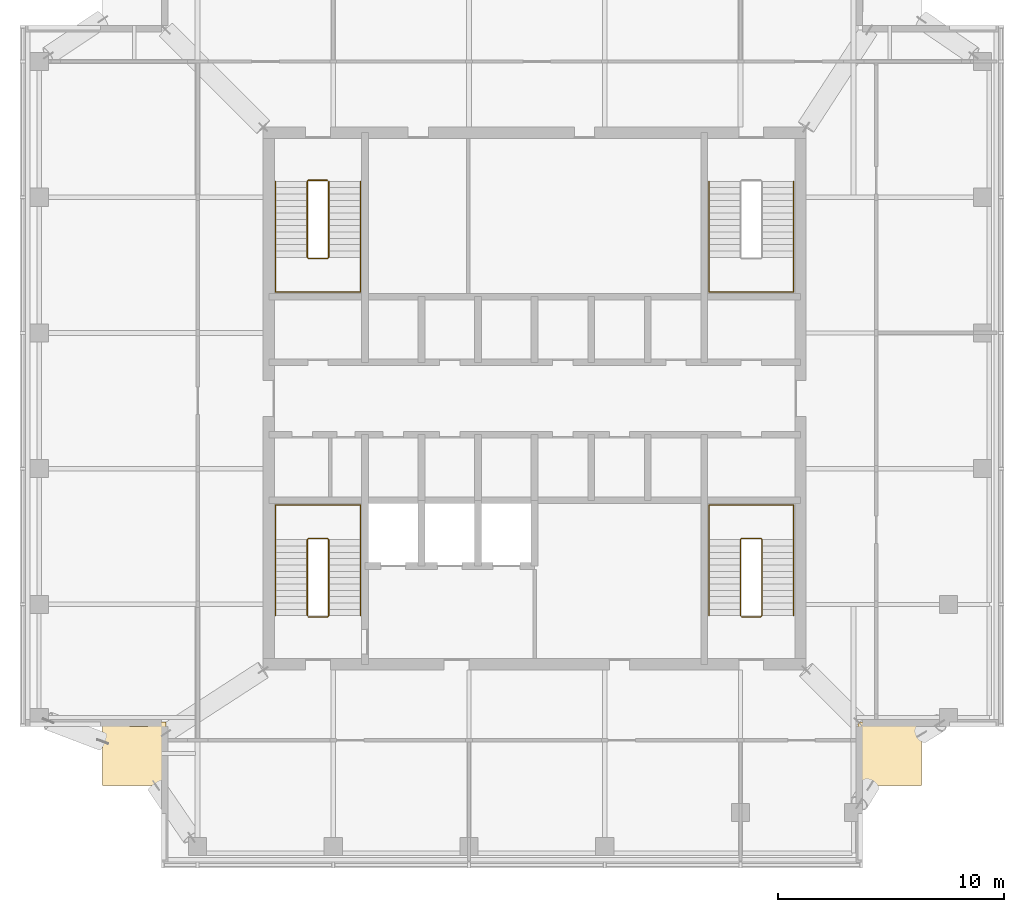
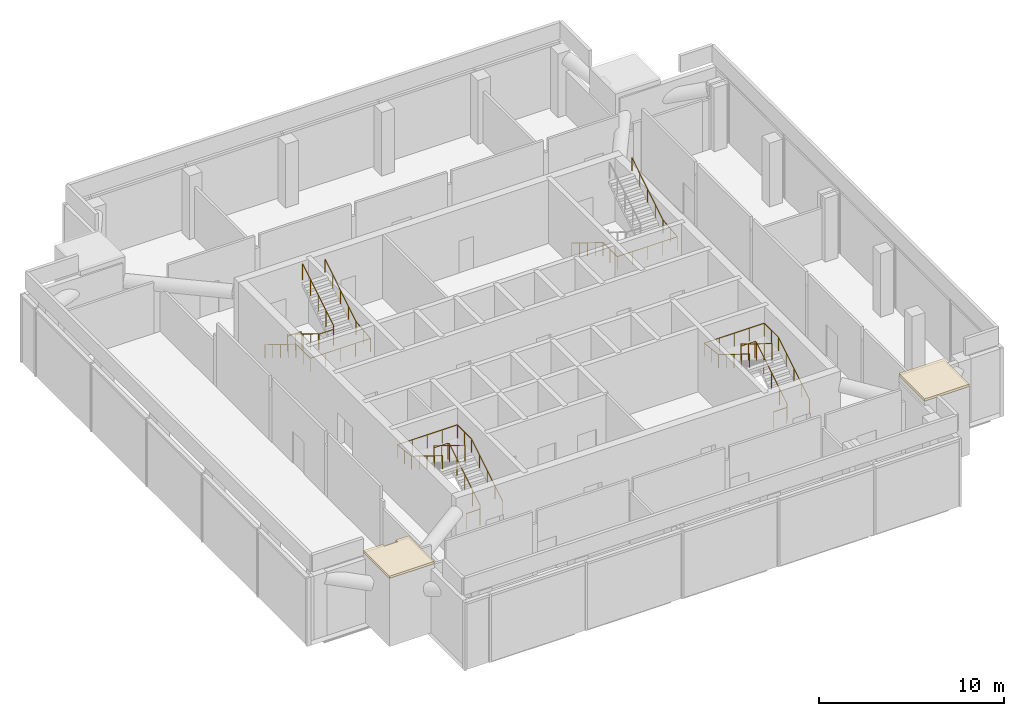
# One storey, part 10 of 11: 7 railings, 2 coverings.
"""IFC4 building model written with IfcOpenShell, lengths in metres."""

from ifc_helpers import new_model, si_unit, direction, frame, origin, origin_2d, place, context, subcontext, project, spatial, polyline, circle, outline, extrude, material, layer, layer_set, type_object, element, save


model = new_model("IFC4")

# Units and contexts
model_context = context("Model", 3, precision=1e-05, world=origin(), true_north=direction((0.0, 1.0)))
body_context = subcontext(model_context, "Body", "Model", "MODEL_VIEW")
ifc_project = project(units=[si_unit("LENGTHUNIT", "METRE"), si_unit("AREAUNIT", "SQUARE_METRE"), si_unit("VOLUMEUNIT", "CUBIC_METRE"), si_unit("PLANEANGLEUNIT", "RADIAN"), si_unit("MASSUNIT", "GRAM", prefix="KILO")], contexts=[model_context])

# Site, building, storey
site_placement = place(None, origin())
site = spatial("IfcSite", under=ifc_project, at=site_placement, CompositionType="ELEMENT")
building_placement = place(site_placement, origin())
building = spatial("IfcBuilding", under=site, at=building_placement, Name="Amberfall Residences", CompositionType="ELEMENT")
storey_placement = place(building_placement, frame((0.0, 0.0, 286.300048828125)))
storey = spatial("IfcBuildingStorey", under=building, at=storey_placement, Name="L77 Crown", CompositionType="ELEMENT", Elevation=286.300048828125)

# Coverings
ifc_material_1 = material(Name="Pale limestone cladding", Category="masonry")
ifc_layer = layer(ifc_material_1, 0.14990234375)
ifc_layer_set = layer_set([ifc_layer], Name="Limestone capping 2800 x 2800 x 150")
covering_type = type_object("IfcCoveringType", Name="Limestone capping 2800 x 2800 x 150", PredefinedType="CLADDING", material=ifc_layer_set)
covering_1_placement = place(storey_placement, frame((0.0, 0.0, 4.5)))
element("IfcCovering", 1, at=covering_1_placement, inside=storey, type_object=covering_type, Name="Limestone capping L77 Crown", PredefinedType="CLADDING", context=body_context, shape_type="SweptSolid", body=[
    extrude(outline(polyline([(58.199951171875, 31.199951171875), (57.409912109375, 31.199951171875), (57.409912109375, 31.0), (57.409912109375, 30.9990234375), (57.409912109375, 30.998046875), (57.40966796875, 30.9970703125), (57.4091796875, 30.99609375), (57.40869140625, 30.995361328125), (57.408203125, 30.994384765625), (57.40771484375, 30.99365234375), (57.406982421875, 30.992919921875), (57.40625, 30.9921875), (57.405517578125, 30.99169921875), (57.40478515625, 30.9912109375), (57.40380859375, 30.99072265625), (57.40283203125, 30.990478515625), (57.402099609375, 30.990234375), (57.40087890625, 30.989990234375), (57.39990234375, 30.989990234375), (56.60009765625, 30.989990234375), (56.59912109375, 30.989990234375), (56.597900390625, 30.990234375), (56.59716796875, 30.990478515625), (56.59619140625, 30.99072265625), (56.59521484375, 30.9912109375), (56.594482421875, 30.99169921875), (56.59375, 30.9921875), (56.593017578125, 30.992919921875), (56.59228515625, 30.99365234375), (56.591796875, 30.994384765625), (56.59130859375, 30.995361328125), (56.5908203125, 30.99609375), (56.59033203125, 30.9970703125), (56.590087890625, 30.998046875), (56.590087890625, 30.9990234375), (56.590087890625, 31.0), (56.590087890625, 31.199951171875), (55.39990234375, 31.199951171875), (55.39990234375, 28.39990234375), (58.199951171875, 28.39990234375), (58.199951171875, 31.199951171875)])), origin(), (0.0, 0.0, 1.0), 0.14990234375),
])
covering_2_placement = place(storey_placement, frame((0.0, 0.0, 4.5)))
element("IfcCovering", 2, at=covering_2_placement, inside=storey, type_object=covering_type, Name="Limestone capping L77 Crown", PredefinedType="CLADDING", context=body_context, shape_type="SweptSolid", body=[
    extrude(outline(polyline([(88.800048828125, 31.199951171875), (88.800048828125, 28.409912109375), (89.0, 28.409912109375), (89.0009765625, 28.409912109375), (89.001953125, 28.409912109375), (89.0029296875, 28.40966796875), (89.00390625, 28.4091796875), (89.004638671875, 28.40869140625), (89.005615234375, 28.408203125), (89.00634765625, 28.40771484375), (89.007080078125, 28.406982421875), (89.0078125, 28.40625), (89.00830078125, 28.405517578125), (89.0087890625, 28.40478515625), (89.00927734375, 28.40380859375), (89.009521484375, 28.40283203125), (89.009765625, 28.402099609375), (89.010009765625, 28.40087890625), (89.010009765625, 28.39990234375), (91.60009765625, 28.39990234375), (91.60009765625, 30.989990234375), (91.60009765625, 30.989990234375), (91.59912109375, 30.989990234375), (91.597900390625, 30.990234375), (91.59716796875, 30.990478515625), (91.59619140625, 30.99072265625), (91.59521484375, 30.9912109375), (91.594482421875, 30.99169921875), (91.59375, 30.9921875), (91.593017578125, 30.992919921875), (91.59228515625, 30.99365234375), (91.591796875, 30.994384765625), (91.59130859375, 30.995361328125), (91.5908203125, 30.99609375), (91.59033203125, 30.9970703125), (91.590087890625, 30.998046875), (91.590087890625, 30.9990234375), (91.590087890625, 31.0), (91.590087890625, 31.199951171875), (88.800048828125, 31.199951171875)])), origin(), (0.0, 0.0, 1.0), 0.14990234375),
])

# Railings
ifc_material_2 = material(Name="Stainless steel 316", Category="steel")
railing_type_1 = type_object("IfcRailingType", Name="Stair guard 1100", PredefinedType="GUARDRAIL", material=ifc_material_2)
railing_1_placement = place(storey_placement, frame((64.5, 35.85009765625, 0.0)))
element("IfcRailing", 3, at=railing_1_placement, inside=storey, type_object=railing_type_1, Name="L77 Crown stair 1 guard", PredefinedType="GUARDRAIL", context=body_context, shape_type="SweptSolid", body=[
    extrude(circle(Radius=0.02392578125, at=origin_2d()), frame((0.0, 0.0, 1.076171875), z_axis=(1.0, 0.0, 0.0), x_axis=(0.0, 1.0, 0.0)), (0.0, 0.0, 1.0), 0.85009765625),
    extrude(circle(Radius=0.02392578125, at=origin_2d()), frame((0.85009765625, 0.0, 1.076171875), z_axis=(0.26651005591, 0.26651005591, 0.926253086471), x_axis=(-0.707106781187, 0.707106781187, 0.0)), (0.0, 0.0, 1.0), 0.186767578125),
    extrude(circle(Radius=0.02392578125, at=origin_2d()), frame((0.89990234375, 0.0498046875, 1.2490234375), z_axis=(0.0, 0.850623216509, 0.525775754039), x_axis=(-1.0, 0.0, 0.0)), (0.0, 0.0, 1.0), 3.9501953125),
    extrude(circle(Radius=0.02392578125, at=origin_2d()), frame((0.89990234375, 3.409912109375, 3.326171875), z_axis=(-0.705375805398, 0.708833529934, 0.0), x_axis=(-0.708833529934, -0.705375805398, 0.0)), (0.0, 0.0, 1.0), 0.070556640625),
    extrude(circle(Radius=0.02392578125, at=origin_2d()), frame((0.85009765625, 3.4599609375, 3.326171875), z_axis=(-1.0, 0.0, 0.0), x_axis=(0.0, -1.0, 0.0)), (0.0, 0.0, 1.0), 0.85009765625),
    extrude(circle(Radius=0.02392578125, at=origin_2d()), frame((0.0, 3.4599609375, 3.326171875), z_axis=(-0.267629722418, -0.267629722418, 0.925607186314), x_axis=(0.707106781187, -0.707106781187, 0.0)), (0.0, 0.0, 1.0), 0.18701171875),
    extrude(circle(Radius=0.02392578125, at=origin_2d()), frame((-0.050048828125, 3.409912109375, 3.4990234375), z_axis=(0.0, -0.850623216509, 0.525775754039), x_axis=(1.0, 0.0, 0.0)), (0.0, 0.0, 1.0), 3.9501953125),
    extrude(circle(Radius=0.02099609375, at=origin_2d()), origin(), (0.0, 0.0, 1.0), 1.052001953125),
    extrude(circle(Radius=0.02099609375, at=origin_2d()), frame((0.85009765625, 0.0, 0.0)), (0.0, 0.0, 1.0), 1.052001953125),
    extrude(circle(Radius=0.02099609375, at=origin_2d()), frame((0.89990234375, 0.0498046875, 0.173095703125)), (0.0, 0.0, 1.0), 1.052001953125),
    extrude(circle(Radius=0.02099609375, at=origin_2d()), frame((0.89990234375, 0.889892578125, 0.6923828125)), (0.0, 0.0, 1.0), 1.052001953125),
    extrude(circle(Radius=0.02099609375, at=origin_2d()), frame((0.89990234375, 1.72998046875, 1.21142578125)), (0.0, 0.0, 1.0), 1.052001953125),
    extrude(circle(Radius=0.02099609375, at=origin_2d()), frame((0.89990234375, 2.56982421875, 1.730712890625)), (0.0, 0.0, 1.0), 1.052001953125),
    extrude(circle(Radius=0.02099609375, at=origin_2d()), frame((0.89990234375, 3.409912109375, 2.25)), (0.0, 0.0, 1.0), 1.052001953125),
    extrude(circle(Radius=0.02099609375, at=origin_2d()), frame((0.85009765625, 3.4599609375, 2.25)), (0.0, 0.0, 1.0), 1.052001953125),
    extrude(circle(Radius=0.02099609375, at=origin_2d()), frame((0.0, 3.4599609375, 2.25)), (0.0, 0.0, 1.0), 1.052001953125),
    extrude(circle(Radius=0.02099609375, at=origin_2d()), frame((-0.050048828125, 3.409912109375, 2.423095703125)), (0.0, 0.0, 1.0), 1.052001953125),
    extrude(circle(Radius=0.02099609375, at=origin_2d()), frame((-0.050048828125, 2.56982421875, 2.9423828125)), (0.0, 0.0, 1.0), 1.052001953125),
    extrude(circle(Radius=0.02099609375, at=origin_2d()), frame((-0.050048828125, 1.72998046875, 3.46142578125)), (0.0, 0.0, 1.0), 1.052001953125),
    extrude(circle(Radius=0.02099609375, at=origin_2d()), frame((-0.050048828125, 0.889892578125, 3.980712890625)), (0.0, 0.0, 1.0), 1.052001953125),
    extrude(circle(Radius=0.02099609375, at=origin_2d()), frame((-0.050048828125, 0.0498046875, 4.5)), (0.0, 0.0, 1.0), 1.052001953125),
])
railing_2_placement = place(storey_placement, frame((83.64990234375, 35.85009765625, 0.0)))
element("IfcRailing", 4, at=railing_2_placement, inside=storey, type_object=railing_type_1, Name="L77 Crown stair 2 guard", PredefinedType="GUARDRAIL", context=body_context, shape_type="SweptSolid", body=[
    extrude(circle(Radius=0.02392578125, at=origin_2d()), frame((0.0, 0.0, 1.076171875), z_axis=(1.0, 0.0, 0.0), x_axis=(0.0, 1.0, 0.0)), (0.0, 0.0, 1.0), 0.85009765625),
    extrude(circle(Radius=0.02392578125, at=origin_2d()), frame((0.85009765625, 0.0, 1.076171875), z_axis=(0.267723051232, 0.266417085129, 0.925929967433), x_axis=(-0.705375805398, 0.708833529934, 0.0)), (0.0, 0.0, 1.0), 0.18701171875),
    extrude(circle(Radius=0.02392578125, at=origin_2d()), frame((0.900146484375, 0.0498046875, 1.2490234375), z_axis=(0.0, 0.850623216509, 0.525775754039), x_axis=(-1.0, 0.0, 0.0)), (0.0, 0.0, 1.0), 3.9501953125),
    extrude(circle(Radius=0.02392578125, at=origin_2d()), frame((0.900146484375, 3.409912109375, 3.326171875), z_axis=(-0.707106781187, 0.707106781187, 0.0), x_axis=(-0.707106781187, -0.707106781187, 0.0)), (0.0, 0.0, 1.0), 0.07080078125),
    extrude(circle(Radius=0.02392578125, at=origin_2d()), frame((0.85009765625, 3.4599609375, 3.326171875), z_axis=(-1.0, 0.0, 0.0), x_axis=(0.0, -1.0, 0.0)), (0.0, 0.0, 1.0), 0.85009765625),
    extrude(circle(Radius=0.02392578125, at=origin_2d()), frame((0.0, 3.4599609375, 3.326171875), z_axis=(-0.266417085129, -0.267723051232, 0.925929967433), x_axis=(0.708833529934, -0.705375805398, 0.0)), (0.0, 0.0, 1.0), 0.18701171875),
    extrude(circle(Radius=0.02392578125, at=origin_2d()), frame((-0.0498046875, 3.409912109375, 3.4990234375), z_axis=(0.0, -0.850623216509, 0.525775754039), x_axis=(1.0, 0.0, 0.0)), (0.0, 0.0, 1.0), 3.9501953125),
    extrude(circle(Radius=0.02099609375, at=origin_2d()), origin(), (0.0, 0.0, 1.0), 1.052001953125),
    extrude(circle(Radius=0.02099609375, at=origin_2d()), frame((0.85009765625, 0.0, 0.0)), (0.0, 0.0, 1.0), 1.052001953125),
    extrude(circle(Radius=0.02099609375, at=origin_2d()), frame((0.900146484375, 0.0498046875, 0.173095703125)), (0.0, 0.0, 1.0), 1.052001953125),
    extrude(circle(Radius=0.02099609375, at=origin_2d()), frame((0.900146484375, 0.889892578125, 0.6923828125)), (0.0, 0.0, 1.0), 1.052001953125),
    extrude(circle(Radius=0.02099609375, at=origin_2d()), frame((0.900146484375, 1.72998046875, 1.21142578125)), (0.0, 0.0, 1.0), 1.052001953125),
    extrude(circle(Radius=0.02099609375, at=origin_2d()), frame((0.900146484375, 2.56982421875, 1.730712890625)), (0.0, 0.0, 1.0), 1.052001953125),
    extrude(circle(Radius=0.02099609375, at=origin_2d()), frame((0.900146484375, 3.409912109375, 2.25)), (0.0, 0.0, 1.0), 1.052001953125),
    extrude(circle(Radius=0.02099609375, at=origin_2d()), frame((0.85009765625, 3.4599609375, 2.25)), (0.0, 0.0, 1.0), 1.052001953125),
    extrude(circle(Radius=0.02099609375, at=origin_2d()), frame((0.0, 3.4599609375, 2.25)), (0.0, 0.0, 1.0), 1.052001953125),
    extrude(circle(Radius=0.02099609375, at=origin_2d()), frame((-0.0498046875, 3.409912109375, 2.423095703125)), (0.0, 0.0, 1.0), 1.052001953125),
    extrude(circle(Radius=0.02099609375, at=origin_2d()), frame((-0.0498046875, 2.56982421875, 2.9423828125)), (0.0, 0.0, 1.0), 1.052001953125),
    extrude(circle(Radius=0.02099609375, at=origin_2d()), frame((-0.0498046875, 1.72998046875, 3.46142578125)), (0.0, 0.0, 1.0), 1.052001953125),
    extrude(circle(Radius=0.02099609375, at=origin_2d()), frame((-0.0498046875, 0.889892578125, 3.980712890625)), (0.0, 0.0, 1.0), 1.052001953125),
    extrude(circle(Radius=0.02099609375, at=origin_2d()), frame((-0.0498046875, 0.0498046875, 4.5)), (0.0, 0.0, 1.0), 1.052001953125),
])
railing_3_placement = place(storey_placement, frame((65.35009765625, 55.14990234375, 0.0)))
element("IfcRailing", 5, at=railing_3_placement, inside=storey, type_object=railing_type_1, Name="L77 Crown stair 4 guard", PredefinedType="GUARDRAIL", context=body_context, shape_type="SweptSolid", body=[
    extrude(circle(Radius=0.02392578125, at=origin_2d()), frame((0.0, 0.0, 1.076171875), z_axis=(-1.0, 0.0, 0.0), x_axis=(0.0, -1.0, 0.0)), (0.0, 0.0, 1.0), 0.85009765625),
    extrude(circle(Radius=0.02392578125, at=origin_2d()), frame((-0.85009765625, 0.0, 1.076171875), z_axis=(-0.267723051232, -0.266417085129, 0.925929967433), x_axis=(0.705375805398, -0.708833529934, 0.0)), (0.0, 0.0, 1.0), 0.18701171875),
    extrude(circle(Radius=0.02392578125, at=origin_2d()), frame((-0.900146484375, -0.0498046875, 1.2490234375), z_axis=(0.0, -0.850623216509, 0.525775754039), x_axis=(1.0, 0.0, 0.0)), (0.0, 0.0, 1.0), 3.9501953125),
    extrude(circle(Radius=0.02392578125, at=origin_2d()), frame((-0.900146484375, -3.409912109375, 3.326171875), z_axis=(0.707106781187, -0.707106781187, 0.0), x_axis=(0.707106781187, 0.707106781187, 0.0)), (0.0, 0.0, 1.0), 0.07080078125),
    extrude(circle(Radius=0.02392578125, at=origin_2d()), frame((-0.85009765625, -3.4599609375, 3.326171875), z_axis=(1.0, 0.0, 0.0), x_axis=(0.0, 1.0, 0.0)), (0.0, 0.0, 1.0), 0.85009765625),
    extrude(circle(Radius=0.02392578125, at=origin_2d()), frame((0.0, -3.4599609375, 3.326171875), z_axis=(0.266417085129, 0.267723051232, 0.925929967433), x_axis=(-0.708833529934, 0.705375805398, 0.0)), (0.0, 0.0, 1.0), 0.18701171875),
    extrude(circle(Radius=0.02392578125, at=origin_2d()), frame((0.0498046875, -3.409912109375, 3.4990234375), z_axis=(0.0, 0.850623216509, 0.525775754039), x_axis=(-1.0, 0.0, 0.0)), (0.0, 0.0, 1.0), 3.9501953125),
    extrude(circle(Radius=0.02099609375, at=origin_2d()), origin(), (0.0, 0.0, 1.0), 1.052001953125),
    extrude(circle(Radius=0.02099609375, at=origin_2d()), frame((-0.85009765625, 0.0, 0.0)), (0.0, 0.0, 1.0), 1.052001953125),
    extrude(circle(Radius=0.02099609375, at=origin_2d()), frame((-0.900146484375, -0.0498046875, 0.173095703125)), (0.0, 0.0, 1.0), 1.052001953125),
    extrude(circle(Radius=0.02099609375, at=origin_2d()), frame((-0.900146484375, -0.889892578125, 0.6923828125)), (0.0, 0.0, 1.0), 1.052001953125),
    extrude(circle(Radius=0.02099609375, at=origin_2d()), frame((-0.900146484375, -1.72998046875, 1.21142578125)), (0.0, 0.0, 1.0), 1.052001953125),
    extrude(circle(Radius=0.02099609375, at=origin_2d()), frame((-0.900146484375, -2.56982421875, 1.730712890625)), (0.0, 0.0, 1.0), 1.052001953125),
    extrude(circle(Radius=0.02099609375, at=origin_2d()), frame((-0.900146484375, -3.409912109375, 2.25)), (0.0, 0.0, 1.0), 1.052001953125),
    extrude(circle(Radius=0.02099609375, at=origin_2d()), frame((-0.85009765625, -3.4599609375, 2.25)), (0.0, 0.0, 1.0), 1.052001953125),
    extrude(circle(Radius=0.02099609375, at=origin_2d()), frame((0.0, -3.4599609375, 2.25)), (0.0, 0.0, 1.0), 1.052001953125),
    extrude(circle(Radius=0.02099609375, at=origin_2d()), frame((0.0498046875, -3.409912109375, 2.423095703125)), (0.0, 0.0, 1.0), 1.052001953125),
    extrude(circle(Radius=0.02099609375, at=origin_2d()), frame((0.0498046875, -2.56982421875, 2.9423828125)), (0.0, 0.0, 1.0), 1.052001953125),
    extrude(circle(Radius=0.02099609375, at=origin_2d()), frame((0.0498046875, -1.72998046875, 3.46142578125)), (0.0, 0.0, 1.0), 1.052001953125),
    extrude(circle(Radius=0.02099609375, at=origin_2d()), frame((0.0498046875, -0.889892578125, 3.980712890625)), (0.0, 0.0, 1.0), 1.052001953125),
    extrude(circle(Radius=0.02099609375, at=origin_2d()), frame((0.0498046875, -0.0498046875, 4.5)), (0.0, 0.0, 1.0), 1.052001953125),
])
railing_type_2 = type_object("IfcRailingType", Name="Stair handrail 900", PredefinedType="HANDRAIL", material=ifc_material_2)
railing_4_placement = place(storey_placement, frame((66.800048828125, 35.89990234375, 0.173095703125)))
element("IfcRailing", 6, at=railing_4_placement, inside=storey, type_object=railing_type_2, Name="L77 Crown stair 1 handrail", PredefinedType="HANDRAIL", context=body_context, shape_type="SweptSolid", body=[
    extrude(circle(Radius=0.02392578125, at=origin_2d()), frame((0.0, 0.0, 0.8759765625), z_axis=(0.0, 0.850623216509, 0.525775754039), x_axis=(-1.0, 0.0, 0.0)), (0.0, 0.0, 1.0), 3.9501953125),
    extrude(circle(Radius=0.02392578125, at=origin_2d()), frame((0.0, 3.360107421875, 2.95263671875), z_axis=(0.0, 1.0, 0.0), x_axis=(-1.0, 0.0, 0.0)), (0.0, 0.0, 1.0), 1.5400390625),
    extrude(circle(Radius=0.02392578125, at=origin_2d()), frame((0.0, 4.900146484375, 2.95263671875), z_axis=(-1.0, 0.0, 0.0), x_axis=(0.0, -1.0, 0.0)), (0.0, 0.0, 1.0), 3.75),
    extrude(circle(Radius=0.02392578125, at=origin_2d()), frame((-3.75, 4.900146484375, 2.95263671875), z_axis=(0.0, -0.993742686923, 0.111693653302), x_axis=(1.0, 0.0, 0.0)), (0.0, 0.0, 1.0), 1.5498046875),
    extrude(circle(Radius=0.02392578125, at=origin_2d()), frame((-3.75, 3.360107421875, 3.1259765625), z_axis=(0.0, -0.850623216509, 0.525775754039), x_axis=(1.0, 0.0, 0.0)), (0.0, 0.0, 1.0), 3.9501953125),
    extrude(circle(Radius=0.02099609375, at=origin_2d()), origin(), (0.0, 0.0, 1.0), 0.851806640625),
    extrude(circle(Radius=0.02099609375, at=origin_2d()), frame((0.0, 0.840087890625, 0.519287109375)), (0.0, 0.0, 1.0), 0.851806640625),
    extrude(circle(Radius=0.02099609375, at=origin_2d()), frame((0.0, 1.68017578125, 1.03857421875)), (0.0, 0.0, 1.0), 0.851806640625),
    extrude(circle(Radius=0.02099609375, at=origin_2d()), frame((0.0, 2.52001953125, 1.5576171875)), (0.0, 0.0, 1.0), 0.851806640625),
    extrude(circle(Radius=0.02099609375, at=origin_2d()), frame((0.0, 3.360107421875, 2.076904296875)), (0.0, 0.0, 1.0), 0.851806640625),
    extrude(circle(Radius=0.02099609375, at=origin_2d()), frame((0.0, 4.130126953125, 2.076904296875)), (0.0, 0.0, 1.0), 0.851806640625),
    extrude(circle(Radius=0.02099609375, at=origin_2d()), frame((0.0, 4.900146484375, 2.076904296875)), (0.0, 0.0, 1.0), 0.851806640625),
    extrude(circle(Radius=0.02099609375, at=origin_2d()), frame((-0.9375, 4.900146484375, 2.076904296875)), (0.0, 0.0, 1.0), 0.851806640625),
    extrude(circle(Radius=0.02099609375, at=origin_2d()), frame((-1.875, 4.900146484375, 2.076904296875)), (0.0, 0.0, 1.0), 0.851806640625),
    extrude(circle(Radius=0.02099609375, at=origin_2d()), frame((-2.8125, 4.900146484375, 2.076904296875)), (0.0, 0.0, 1.0), 0.851806640625),
    extrude(circle(Radius=0.02099609375, at=origin_2d()), frame((-3.75, 4.900146484375, 2.076904296875)), (0.0, 0.0, 1.0), 0.851806640625),
    extrude(circle(Radius=0.02099609375, at=origin_2d()), frame((-3.75, 4.130126953125, 2.16357421875)), (0.0, 0.0, 1.0), 0.851806640625),
    extrude(circle(Radius=0.02099609375, at=origin_2d()), frame((-3.75, 3.360107421875, 2.25)), (0.0, 0.0, 1.0), 0.851806640625),
    extrude(circle(Radius=0.02099609375, at=origin_2d()), frame((-3.75, 2.52001953125, 2.769287109375)), (0.0, 0.0, 1.0), 0.851806640625),
    extrude(circle(Radius=0.02099609375, at=origin_2d()), frame((-3.75, 1.68017578125, 3.28857421875)), (0.0, 0.0, 1.0), 0.851806640625),
    extrude(circle(Radius=0.02099609375, at=origin_2d()), frame((-3.75, 0.840087890625, 3.8076171875)), (0.0, 0.0, 1.0), 0.851806640625),
    extrude(circle(Radius=0.02099609375, at=origin_2d()), frame((-3.75, 0.0, 4.326904296875)), (0.0, 0.0, 1.0), 0.851806640625),
])
railing_5_placement = place(storey_placement, frame((85.949951171875, 35.89990234375, 0.173095703125)))
element("IfcRailing", 7, at=railing_5_placement, inside=storey, type_object=railing_type_2, Name="L77 Crown stair 2 handrail", PredefinedType="HANDRAIL", context=body_context, shape_type="SweptSolid", body=[
    extrude(circle(Radius=0.02392578125, at=origin_2d()), frame((0.0, 0.0, 0.8759765625), z_axis=(0.0, 0.850623216509, 0.525775754039), x_axis=(-1.0, 0.0, 0.0)), (0.0, 0.0, 1.0), 3.9501953125),
    extrude(circle(Radius=0.02392578125, at=origin_2d()), frame((0.0, 3.360107421875, 2.95263671875), z_axis=(0.0, 1.0, 0.0), x_axis=(-1.0, 0.0, 0.0)), (0.0, 0.0, 1.0), 1.5400390625),
    extrude(circle(Radius=0.02392578125, at=origin_2d()), frame((0.0, 4.900146484375, 2.95263671875), z_axis=(-1.0, 0.0, 0.0), x_axis=(0.0, -1.0, 0.0)), (0.0, 0.0, 1.0), 3.75),
    extrude(circle(Radius=0.02392578125, at=origin_2d()), frame((-3.75, 4.900146484375, 2.95263671875), z_axis=(0.0, -0.993742686923, 0.111693653302), x_axis=(1.0, 0.0, 0.0)), (0.0, 0.0, 1.0), 1.5498046875),
    extrude(circle(Radius=0.02392578125, at=origin_2d()), frame((-3.75, 3.360107421875, 3.1259765625), z_axis=(0.0, -0.850623216509, 0.525775754039), x_axis=(1.0, 0.0, 0.0)), (0.0, 0.0, 1.0), 3.9501953125),
    extrude(circle(Radius=0.02099609375, at=origin_2d()), origin(), (0.0, 0.0, 1.0), 0.851806640625),
    extrude(circle(Radius=0.02099609375, at=origin_2d()), frame((0.0, 0.840087890625, 0.519287109375)), (0.0, 0.0, 1.0), 0.851806640625),
    extrude(circle(Radius=0.02099609375, at=origin_2d()), frame((0.0, 1.68017578125, 1.03857421875)), (0.0, 0.0, 1.0), 0.851806640625),
    extrude(circle(Radius=0.02099609375, at=origin_2d()), frame((0.0, 2.52001953125, 1.5576171875)), (0.0, 0.0, 1.0), 0.851806640625),
    extrude(circle(Radius=0.02099609375, at=origin_2d()), frame((0.0, 3.360107421875, 2.076904296875)), (0.0, 0.0, 1.0), 0.851806640625),
    extrude(circle(Radius=0.02099609375, at=origin_2d()), frame((0.0, 4.130126953125, 2.076904296875)), (0.0, 0.0, 1.0), 0.851806640625),
    extrude(circle(Radius=0.02099609375, at=origin_2d()), frame((0.0, 4.900146484375, 2.076904296875)), (0.0, 0.0, 1.0), 0.851806640625),
    extrude(circle(Radius=0.02099609375, at=origin_2d()), frame((-0.9375, 4.900146484375, 2.076904296875)), (0.0, 0.0, 1.0), 0.851806640625),
    extrude(circle(Radius=0.02099609375, at=origin_2d()), frame((-1.875, 4.900146484375, 2.076904296875)), (0.0, 0.0, 1.0), 0.851806640625),
    extrude(circle(Radius=0.02099609375, at=origin_2d()), frame((-2.8125, 4.900146484375, 2.076904296875)), (0.0, 0.0, 1.0), 0.851806640625),
    extrude(circle(Radius=0.02099609375, at=origin_2d()), frame((-3.75, 4.900146484375, 2.076904296875)), (0.0, 0.0, 1.0), 0.851806640625),
    extrude(circle(Radius=0.02099609375, at=origin_2d()), frame((-3.75, 4.130126953125, 2.16357421875)), (0.0, 0.0, 1.0), 0.851806640625),
    extrude(circle(Radius=0.02099609375, at=origin_2d()), frame((-3.75, 3.360107421875, 2.25)), (0.0, 0.0, 1.0), 0.851806640625),
    extrude(circle(Radius=0.02099609375, at=origin_2d()), frame((-3.75, 2.52001953125, 2.769287109375)), (0.0, 0.0, 1.0), 0.851806640625),
    extrude(circle(Radius=0.02099609375, at=origin_2d()), frame((-3.75, 1.68017578125, 3.28857421875)), (0.0, 0.0, 1.0), 0.851806640625),
    extrude(circle(Radius=0.02099609375, at=origin_2d()), frame((-3.75, 0.840087890625, 3.8076171875)), (0.0, 0.0, 1.0), 0.851806640625),
    extrude(circle(Radius=0.02099609375, at=origin_2d()), frame((-3.75, 0.0, 4.326904296875)), (0.0, 0.0, 1.0), 0.851806640625),
])
railing_6_placement = place(storey_placement, frame((82.199951171875, 55.10009765625, 0.173095703125)))
element("IfcRailing", 8, at=railing_6_placement, inside=storey, type_object=railing_type_2, Name="L77 Crown stair 3 handrail", PredefinedType="HANDRAIL", context=body_context, shape_type="SweptSolid", body=[
    extrude(circle(Radius=0.02392578125, at=origin_2d()), frame((0.0, 0.0, 0.8759765625), z_axis=(0.0, -0.850623216509, 0.525775754039), x_axis=(1.0, 0.0, 0.0)), (0.0, 0.0, 1.0), 3.9501953125),
    extrude(circle(Radius=0.02392578125, at=origin_2d()), frame((0.0, -3.360107421875, 2.95263671875), z_axis=(0.0, -1.0, 0.0), x_axis=(1.0, 0.0, 0.0)), (0.0, 0.0, 1.0), 1.5400390625),
    extrude(circle(Radius=0.02392578125, at=origin_2d()), frame((0.0, -4.900146484375, 2.95263671875), z_axis=(1.0, 0.0, 0.0), x_axis=(0.0, 1.0, 0.0)), (0.0, 0.0, 1.0), 3.75),
    extrude(circle(Radius=0.02392578125, at=origin_2d()), frame((3.75, -4.900146484375, 2.95263671875), z_axis=(0.0, 0.993742686923, 0.111693653302), x_axis=(-1.0, 0.0, 0.0)), (0.0, 0.0, 1.0), 1.5498046875),
    extrude(circle(Radius=0.02392578125, at=origin_2d()), frame((3.75, -3.360107421875, 3.1259765625), z_axis=(0.0, 0.850623216509, 0.525775754039), x_axis=(-1.0, 0.0, 0.0)), (0.0, 0.0, 1.0), 3.9501953125),
    extrude(circle(Radius=0.02099609375, at=origin_2d()), origin(), (0.0, 0.0, 1.0), 0.851806640625),
    extrude(circle(Radius=0.02099609375, at=origin_2d()), frame((0.0, -0.840087890625, 0.519287109375)), (0.0, 0.0, 1.0), 0.851806640625),
    extrude(circle(Radius=0.02099609375, at=origin_2d()), frame((0.0, -1.68017578125, 1.03857421875)), (0.0, 0.0, 1.0), 0.851806640625),
    extrude(circle(Radius=0.02099609375, at=origin_2d()), frame((0.0, -2.52001953125, 1.5576171875)), (0.0, 0.0, 1.0), 0.851806640625),
    extrude(circle(Radius=0.02099609375, at=origin_2d()), frame((0.0, -3.360107421875, 2.076904296875)), (0.0, 0.0, 1.0), 0.851806640625),
    extrude(circle(Radius=0.02099609375, at=origin_2d()), frame((0.0, -4.130126953125, 2.076904296875)), (0.0, 0.0, 1.0), 0.851806640625),
    extrude(circle(Radius=0.02099609375, at=origin_2d()), frame((0.0, -4.900146484375, 2.076904296875)), (0.0, 0.0, 1.0), 0.851806640625),
    extrude(circle(Radius=0.02099609375, at=origin_2d()), frame((0.9375, -4.900146484375, 2.076904296875)), (0.0, 0.0, 1.0), 0.851806640625),
    extrude(circle(Radius=0.02099609375, at=origin_2d()), frame((1.875, -4.900146484375, 2.076904296875)), (0.0, 0.0, 1.0), 0.851806640625),
    extrude(circle(Radius=0.02099609375, at=origin_2d()), frame((2.8125, -4.900146484375, 2.076904296875)), (0.0, 0.0, 1.0), 0.851806640625),
    extrude(circle(Radius=0.02099609375, at=origin_2d()), frame((3.75, -4.900146484375, 2.076904296875)), (0.0, 0.0, 1.0), 0.851806640625),
    extrude(circle(Radius=0.02099609375, at=origin_2d()), frame((3.75, -4.130126953125, 2.16357421875)), (0.0, 0.0, 1.0), 0.851806640625),
    extrude(circle(Radius=0.02099609375, at=origin_2d()), frame((3.75, -3.360107421875, 2.25)), (0.0, 0.0, 1.0), 0.851806640625),
    extrude(circle(Radius=0.02099609375, at=origin_2d()), frame((3.75, -2.52001953125, 2.769287109375)), (0.0, 0.0, 1.0), 0.851806640625),
    extrude(circle(Radius=0.02099609375, at=origin_2d()), frame((3.75, -1.68017578125, 3.28857421875)), (0.0, 0.0, 1.0), 0.851806640625),
    extrude(circle(Radius=0.02099609375, at=origin_2d()), frame((3.75, -0.840087890625, 3.8076171875)), (0.0, 0.0, 1.0), 0.851806640625),
    extrude(circle(Radius=0.02099609375, at=origin_2d()), frame((3.75, 0.0, 4.326904296875)), (0.0, 0.0, 1.0), 0.851806640625),
])
railing_7_placement = place(storey_placement, frame((63.050048828125, 55.10009765625, 0.173095703125)))
element("IfcRailing", 9, at=railing_7_placement, inside=storey, type_object=railing_type_2, Name="L77 Crown stair 4 handrail", PredefinedType="HANDRAIL", context=body_context, shape_type="SweptSolid", body=[
    extrude(circle(Radius=0.02392578125, at=origin_2d()), frame((0.0, 0.0, 0.8759765625), z_axis=(0.0, -0.850623216509, 0.525775754039), x_axis=(1.0, 0.0, 0.0)), (0.0, 0.0, 1.0), 3.9501953125),
    extrude(circle(Radius=0.02392578125, at=origin_2d()), frame((0.0, -3.360107421875, 2.95263671875), z_axis=(0.0, -1.0, 0.0), x_axis=(1.0, 0.0, 0.0)), (0.0, 0.0, 1.0), 1.5400390625),
    extrude(circle(Radius=0.02392578125, at=origin_2d()), frame((0.0, -4.900146484375, 2.95263671875), z_axis=(1.0, 0.0, 0.0), x_axis=(0.0, 1.0, 0.0)), (0.0, 0.0, 1.0), 3.75),
    extrude(circle(Radius=0.02392578125, at=origin_2d()), frame((3.75, -4.900146484375, 2.95263671875), z_axis=(0.0, 0.993742686923, 0.111693653302), x_axis=(-1.0, 0.0, 0.0)), (0.0, 0.0, 1.0), 1.5498046875),
    extrude(circle(Radius=0.02392578125, at=origin_2d()), frame((3.75, -3.360107421875, 3.1259765625), z_axis=(0.0, 0.850623216509, 0.525775754039), x_axis=(-1.0, 0.0, 0.0)), (0.0, 0.0, 1.0), 3.9501953125),
    extrude(circle(Radius=0.02099609375, at=origin_2d()), origin(), (0.0, 0.0, 1.0), 0.851806640625),
    extrude(circle(Radius=0.02099609375, at=origin_2d()), frame((0.0, -0.840087890625, 0.519287109375)), (0.0, 0.0, 1.0), 0.851806640625),
    extrude(circle(Radius=0.02099609375, at=origin_2d()), frame((0.0, -1.68017578125, 1.03857421875)), (0.0, 0.0, 1.0), 0.851806640625),
    extrude(circle(Radius=0.02099609375, at=origin_2d()), frame((0.0, -2.52001953125, 1.5576171875)), (0.0, 0.0, 1.0), 0.851806640625),
    extrude(circle(Radius=0.02099609375, at=origin_2d()), frame((0.0, -3.360107421875, 2.076904296875)), (0.0, 0.0, 1.0), 0.851806640625),
    extrude(circle(Radius=0.02099609375, at=origin_2d()), frame((0.0, -4.130126953125, 2.076904296875)), (0.0, 0.0, 1.0), 0.851806640625),
    extrude(circle(Radius=0.02099609375, at=origin_2d()), frame((0.0, -4.900146484375, 2.076904296875)), (0.0, 0.0, 1.0), 0.851806640625),
    extrude(circle(Radius=0.02099609375, at=origin_2d()), frame((0.9375, -4.900146484375, 2.076904296875)), (0.0, 0.0, 1.0), 0.851806640625),
    extrude(circle(Radius=0.02099609375, at=origin_2d()), frame((1.875, -4.900146484375, 2.076904296875)), (0.0, 0.0, 1.0), 0.851806640625),
    extrude(circle(Radius=0.02099609375, at=origin_2d()), frame((2.8125, -4.900146484375, 2.076904296875)), (0.0, 0.0, 1.0), 0.851806640625),
    extrude(circle(Radius=0.02099609375, at=origin_2d()), frame((3.75, -4.900146484375, 2.076904296875)), (0.0, 0.0, 1.0), 0.851806640625),
    extrude(circle(Radius=0.02099609375, at=origin_2d()), frame((3.75, -4.130126953125, 2.16357421875)), (0.0, 0.0, 1.0), 0.851806640625),
    extrude(circle(Radius=0.02099609375, at=origin_2d()), frame((3.75, -3.360107421875, 2.25)), (0.0, 0.0, 1.0), 0.851806640625),
    extrude(circle(Radius=0.02099609375, at=origin_2d()), frame((3.75, -2.52001953125, 2.769287109375)), (0.0, 0.0, 1.0), 0.851806640625),
    extrude(circle(Radius=0.02099609375, at=origin_2d()), frame((3.75, -1.68017578125, 3.28857421875)), (0.0, 0.0, 1.0), 0.851806640625),
    extrude(circle(Radius=0.02099609375, at=origin_2d()), frame((3.75, -0.840087890625, 3.8076171875)), (0.0, 0.0, 1.0), 0.851806640625),
    extrude(circle(Radius=0.02099609375, at=origin_2d()), frame((3.75, 0.0, 4.326904296875)), (0.0, 0.0, 1.0), 0.851806640625),
])

save(model, "model.ifc")
